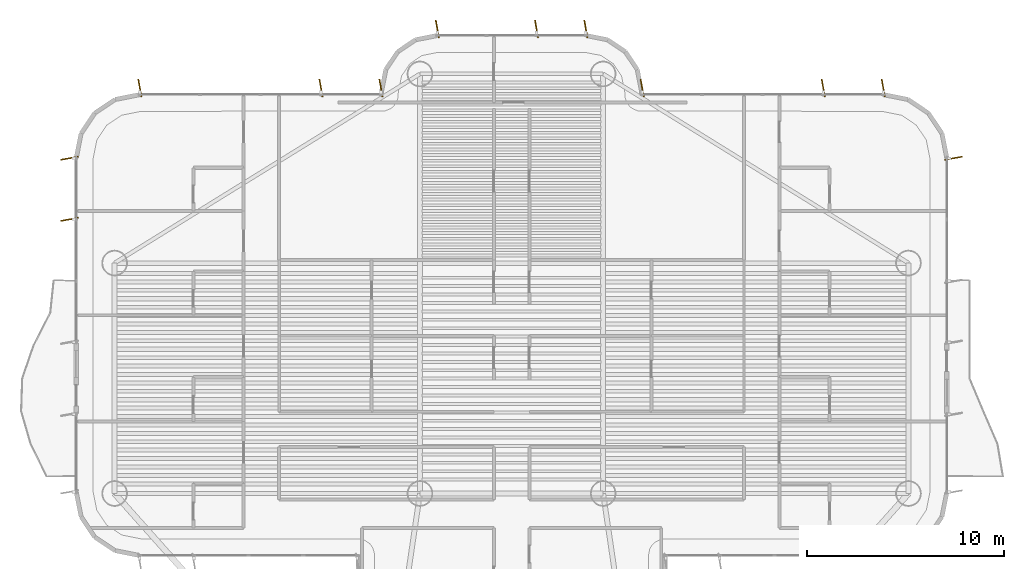
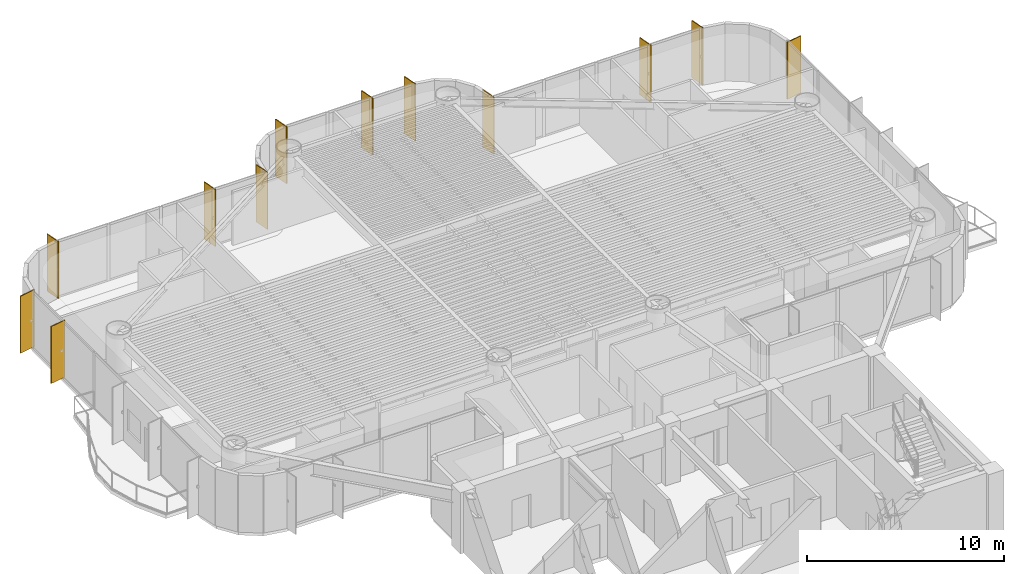
# One storey, part 17 of 17: 12 shading devices.
"""IFC4 building model written with IfcOpenShell, lengths in metres."""

import ifcopenshell
import ifcopenshell.guid

model = None  # the IFC model being written
_history = None  # IfcOwnerHistory: only IFC2X3 demands one
_inside = {}  # id of a spatial element -> (the spatial element, [elements in it])
_under = {}  # id of a project, library or spatial element -> (it, [spatial elements below it])
_declared = {}  # id of a project -> (the project, [libraries it declares])
_typed = {}  # id of a type object -> (the type object, [elements of that type])
_made_of = {}  # id of a material, layer set ... -> (it, [elements and type objects made of it])


def new_model(schema):
    """Start an empty IFC model of exactly this schema.

    Asked for "IFC4X3", IfcOpenShell would pick the latest addendum, in which some entities
    have other attributes; the version numbers below select the first issue.
    IFC2X3 requires an IfcOwnerHistory on every rooted entity: one is made here for all.
    """
    global model, _history
    if schema == "IFC4X3":
        model = ifcopenshell.file(schema_version=(4, 3, 0, 0))
    else:
        model = ifcopenshell.file(schema=schema)
    _inside.clear()
    _under.clear()
    _declared.clear()
    _typed.clear()
    _made_of.clear()
    _history = None
    if model.schema == "IFC2X3":
        org = make("IfcOrganization", Name="unknown")
        user = make(
            "IfcPersonAndOrganization",
            ThePerson=make("IfcPerson", FamilyName="unknown"),
            TheOrganization=org,
        )
        app = make(
            "IfcApplication",
            ApplicationDeveloper=org,
            Version="unknown",
            ApplicationFullName="unknown",
            ApplicationIdentifier="unknown",
        )
        _history = make(
            "IfcOwnerHistory",
            OwningUser=user,
            OwningApplication=app,
            ChangeAction="ADDED",
            CreationDate=0,
        )
    return model


def make(cls, **values):
    """One entity of the class cls with the attributes given. An attribute that is None is left unset."""
    return model.create_entity(
        cls, **{name: value for name, value in values.items() if value is not None}
    )


def rooted(cls, **values):
    """An entity with a GlobalId (a new one), such as an element, a storey or a relation."""
    return make(cls, GlobalId=ifcopenshell.guid.new(), OwnerHistory=_history, **values)


def si_unit(unit_type, name, prefix=None):
    """IfcSIUnit, for example si_unit("LENGTHUNIT", "METRE", prefix="MILLI")."""
    return make("IfcSIUnit", UnitType=unit_type, Prefix=prefix, Name=name)


def assignment(units):
    """IfcUnitAssignment: the units of a project."""
    return None if units is None else make("IfcUnitAssignment", Units=units)


def point(xyz):
    """IfcCartesianPoint."""
    return None if xyz is None else make("IfcCartesianPoint", Coordinates=xyz)


def direction(xyz):
    """IfcDirection."""
    return None if xyz is None else make("IfcDirection", DirectionRatios=xyz)


def frame(location, z_axis=None, x_axis=None):
    """IfcAxis2Placement3D, a coordinate frame: its origin and axes. An axis left out is left unset."""
    return make(
        "IfcAxis2Placement3D",
        Location=point(location),
        Axis=direction(z_axis),
        RefDirection=direction(x_axis),
    )


def frame_2d(location, x_axis=None):
    """IfcAxis2Placement2D, a coordinate frame in the plane: its origin and x axis."""
    return make(
        "IfcAxis2Placement2D", Location=point(location), RefDirection=direction(x_axis)
    )


def origin():
    """The frame at (0, 0, 0) with its axes left unset."""
    return frame((0.0, 0.0, 0.0))


def origin_2d():
    """The frame at (0, 0) in the plane with its x axis left unset."""
    return frame_2d((0.0, 0.0))


def place(relative_to, where):
    """IfcLocalPlacement: puts the frame where relative to a parent placement (None: the world)."""
    return make(
        "IfcLocalPlacement", PlacementRelTo=relative_to, RelativePlacement=where
    )


def context(
    kind, dimensions, precision=None, world=None, true_north=None, identifier=None
):
    """IfcGeometricRepresentationContext, for example the 3D "Model" context."""
    return make(
        "IfcGeometricRepresentationContext",
        ContextIdentifier=identifier,
        ContextType=kind,
        CoordinateSpaceDimension=dimensions,
        Precision=precision,
        WorldCoordinateSystem=world,
        TrueNorth=true_north,
    )


def subcontext(parent, identifier, kind, view, scale=None):
    """IfcGeometricRepresentationSubContext, for example "Body" below "Model"."""
    return make(
        "IfcGeometricRepresentationSubContext",
        ContextIdentifier=identifier,
        ContextType=kind,
        ParentContext=parent,
        TargetScale=scale,
        TargetView=view,
    )


def project(units=None, contexts=None):
    """IfcProject with its units and contexts."""
    return rooted(
        "IfcProject",
        Name="project",
        RepresentationContexts=contexts,
        UnitsInContext=assignment(units),
    )


def spatial(cls, under=None, at=None, **own):
    """A site, building, storey or space (cls), placed at a placement, below another one or the project."""
    s = rooted(cls, ObjectPlacement=at, **own)
    if under is not None:
        _under.setdefault(under.id(), (under, []))[1].append(s)
    return s


def profile(cls, at=None, kind="AREA", **sizes):
    """A parametric profile (cls). Its sizes go by their IFC names, for example OverallWidth=200.0."""
    return make(cls, ProfileType=kind, Position=at, **sizes)


def rectangle(**sizes):
    """IfcRectangleProfileDef."""
    return profile("IfcRectangleProfileDef", **sizes)


def extrude(swept, where, along, depth):
    """IfcExtrudedAreaSolid: the profile swept, set in the frame where, extruded along a direction by depth."""
    return make(
        "IfcExtrudedAreaSolid",
        SweptArea=swept,
        Position=where,
        ExtrudedDirection=direction(along),
        Depth=depth,
    )


def shape(context_of_items, identifier, shape_type, items):
    """IfcShapeRepresentation: the items that make up one representation, for example the "Body"."""
    return make(
        "IfcShapeRepresentation",
        ContextOfItems=context_of_items,
        RepresentationIdentifier=identifier,
        RepresentationType=shape_type,
        Items=items,
    )


def source(mapping_origin, context_of_items, identifier, shape_type, items):
    """IfcRepresentationMap: a shape defined once, which mapped items show again and again."""
    return make(
        "IfcRepresentationMap",
        MappingOrigin=mapping_origin,
        MappedRepresentation=shape(context_of_items, identifier, shape_type, items),
    )


def transform(
    local_origin,
    x_axis=None,
    y_axis=None,
    z_axis=None,
    scale=None,
    scale2=None,
    scale3=None,
    uniform=True,
):
    """IfcCartesianTransformationOperator3D, or its non-uniform kind. x_axis, y_axis, z_axis: its Axis1, 2, 3."""
    if uniform:
        return make(
            "IfcCartesianTransformationOperator3D",
            Axis1=direction(x_axis),
            Axis2=direction(y_axis),
            LocalOrigin=point(local_origin),
            Scale=scale,
            Axis3=direction(z_axis),
        )
    return make(
        "IfcCartesianTransformationOperator3DnonUniform",
        Axis1=direction(x_axis),
        Axis2=direction(y_axis),
        LocalOrigin=point(local_origin),
        Scale=scale,
        Axis3=direction(z_axis),
        Scale2=scale2,
        Scale3=scale3,
    )


def mapped(mapping_source, mapping_target):
    """IfcMappedItem: shows the shape of a source again, moved by a transform."""
    return make(
        "IfcMappedItem", MappingSource=mapping_source, MappingTarget=mapping_target
    )


def material(Name=None, Category=None):
    """IfcMaterial."""
    return make("IfcMaterial", Name=Name, Category=Category)


def material_profile(
    of_material, cross_section, Name=None, Category=None, Priority=None
):
    """IfcMaterialProfile: a cross section and its material."""
    return make(
        "IfcMaterialProfile",
        Name=Name,
        Material=of_material,
        Profile=cross_section,
        Priority=Priority,
        Category=Category,
    )


def profile_set(profiles, Name=None, composite=None):
    """IfcMaterialProfileSet."""
    return make(
        "IfcMaterialProfileSet",
        Name=Name,
        MaterialProfiles=profiles,
        CompositeProfile=composite,
    )


def made_of(thing, what):
    """Note that an element or type object is made of a material, layer set ...; save() writes the relation."""
    if what is not None:
        _made_of.setdefault(what.id(), (what, []))[1].append(thing)
    return thing


def type_object(cls, material=None, **own):
    """A type object (cls), such as IfcWallType, which elements share."""
    return made_of(rooted(cls, **own), material)


def element(
    cls,
    number,
    at=None,
    inside=None,
    cuts=None,
    type_object=None,
    material=None,
    context=None,
    identifier="Body",
    shape_type=None,
    held_by="IfcProductDefinitionShape",
    body=None,
    shapes=None,
    **own,
):
    """One element of the class cls, such as IfcWall. Its Tag is "e" and its number.

    at: its placement. inside: the storey or other place that contains it. cuts: it is an
    opening in that element (IfcRelVoidsElement). A single representation is given by context,
    identifier, shape_type and body (its items); several are given by shapes. held_by: the class
    of the entity that holds the representations. save() writes the other relations.
    """
    e = rooted(cls, Tag="e%d" % number, ObjectPlacement=at, **own)
    if body is not None:
        shapes = [shape(context, identifier, shape_type, body)]
    if shapes is not None:
        e.Representation = make(held_by, Representations=shapes)
    if inside is not None:
        _inside.setdefault(inside.id(), (inside, []))[1].append(e)
    if cuts is not None:
        rooted(
            "IfcRelVoidsElement", RelatingBuildingElement=cuts, RelatedOpeningElement=e
        )
    if type_object is not None:
        _typed.setdefault(type_object.id(), (type_object, []))[1].append(e)
    return made_of(e, material)


def aggregate(whole, parts):
    """IfcRelAggregates: a whole, such as a stair, and the parts it consists of."""
    return rooted("IfcRelAggregates", RelatingObject=whole, RelatedObjects=parts)


def save(model, path):
    """Write the relations noted so far, then the file.

    IfcRelAggregates (storeys below a building ...), IfcRelContainedInSpatialStructure (elements
    in a storey), IfcRelDefinesByType, IfcRelAssociatesMaterial and IfcRelDeclares: one each for
    every whole, place, type object, material and project.
    """
    for whole, parts in _under.values():
        aggregate(whole, parts)
    for where, things in _inside.values():
        rooted(
            "IfcRelContainedInSpatialStructure",
            RelatedElements=things,
            RelatingStructure=where,
        )
    for kind, things in _typed.values():
        rooted("IfcRelDefinesByType", RelatedObjects=things, RelatingType=kind)
    for what, things in _made_of.values():
        rooted("IfcRelAssociatesMaterial", RelatedObjects=things, RelatingMaterial=what)
    for by, libraries in _declared.values():
        rooted("IfcRelDeclares", RelatingContext=by, RelatedDefinitions=libraries)
    model.write(path)


model = new_model("IFC4")

# Units and contexts
model_context = context("Model", 3, precision=1e-05, world=origin(), true_north=direction((0.0, 1.0)))
body_context = subcontext(model_context, "Body", "Model", "MODEL_VIEW")
ifc_project = project(units=[si_unit("LENGTHUNIT", "METRE"), si_unit("AREAUNIT", "SQUARE_METRE"), si_unit("VOLUMEUNIT", "CUBIC_METRE"), si_unit("PLANEANGLEUNIT", "RADIAN"), si_unit("MASSUNIT", "GRAM", prefix="KILO")], contexts=[model_context])

# Site, building, storey
site_placement = place(None, origin())
site = spatial("IfcSite", under=ifc_project, at=site_placement, CompositionType="ELEMENT")
building_placement = place(site_placement, origin())
building = spatial("IfcBuilding", under=site, at=building_placement, Name="Brelvock Crest Care Tower", CompositionType="ELEMENT")
storey_placement = place(building_placement, frame((0.0, 0.0, 127.6201171875)))
storey = spatial("IfcBuildingStorey", under=building, at=storey_placement, Name="L32", CompositionType="ELEMENT", Elevation=127.6201171875)

# Shading devices
ifc_material = material(Name="Aluminium 6063-T6", Category="aluminium")
ifc_material_profile = material_profile(ifc_material, rectangle(XDim=0.054931640625, YDim=0.89990234375, at=origin_2d()), Name="FIN55x900")
ifc_profile_set = profile_set([ifc_material_profile], Name="Aluminium 6063-T6")
shading_device_type = type_object("IfcShadingDeviceType", Name="SHD-FIN1", PredefinedType="USERDEFINED", material=ifc_profile_set)
shared_shape = source(origin(), body_context, "Body", "SweptSolid", [
    extrude(rectangle(XDim=0.054931640625, YDim=0.89990234375, at=origin_2d()), origin(), (0.0, 0.0, 1.0), 3.52978515625),
])
for number, where, z_axis, x_axis, name in (
    (1, (13.56005859375, 41.066650390625, 0.0), (0.0, 0.0, 1.0), (-0.173648177667, 0.984807753012, 0.0), "L32 Vertical Sunshade Fin E17B-03"),
    (2, (13.56005859375, 44.169921875, 0.0), (0.0, 0.0, 1.0), (-0.173648177667, 0.984807753012, 0.0), "L32 Vertical Sunshade Fin E17B-04"),
    (3, (17.1298828125, 47.739990234375, 0.0), (0.0, 0.0, 1.0), (0.984807753012, 0.173648177667, 0.0), "L32 Vertical Sunshade Fin E22-01"),
    (4, (26.324951171875, 47.739990234375, 0.0), (0.0, 0.0, 1.0), (0.984807753012, 0.173648177667, 0.0), "L32 Vertical Sunshade Fin E22-04"),
    (5, (29.3701171875, 47.739990234375, 0.0), (0.0, 0.0, 1.0), (0.984807753012, 0.173648177667, 0.0), "L32 Vertical Sunshade Fin E22-05"),
    (6, (32.22998046875, 50.739990234375, 0.0), (0.0, 0.0, 1.0), (0.984807753012, 0.173648177667, 0.0), "L32 Vertical Sunshade Fin E28-01"),
    (7, (37.2666015625, 50.739990234375, 0.0), (0.0, 0.0, 1.0), (0.984807753012, 0.173648177667, 0.0), "L32 Vertical Sunshade Fin E28-03"),
    (8, (39.77001953125, 50.739990234375, 0.0), (0.0, 0.0, 1.0), (0.984807753012, 0.173648177667, 0.0), "L32 Vertical Sunshade Fin E28-04"),
    (9, (42.6298828125, 47.739990234375, 0.0), (0.0, 0.0, 1.0), (0.984807753012, 0.173648177667, 0.0), "L32 Vertical Sunshade Fin E34-01"),
    (10, (51.824951171875, 47.739990234375, 0.0), (0.0, 0.0, 1.0), (0.984807753012, 0.173648177667, 0.0), "L32 Vertical Sunshade Fin E34-04"),
    (11, (54.8701171875, 47.739990234375, 0.0), (0.0, 0.0, 1.0), (0.984807753012, 0.173648177667, 0.0), "L32 Vertical Sunshade Fin E34-05"),
    (12, (58.43994140625, 44.169921875, 0.0), (0.0, 0.0, 1.0), (0.173648177667, -0.984807753012, 0.0), "L32 Vertical Sunshade Fin E39A-01"),
):
    element("IfcShadingDevice", number, at=place(storey_placement, frame(where, z_axis=z_axis, x_axis=x_axis)), inside=storey, type_object=shading_device_type, Name=name, ObjectType="FIN", PredefinedType="USERDEFINED", context=body_context, shape_type="MappedRepresentation", body=[
        mapped(shared_shape, transform((0.0, 0.0, 0.0), x_axis=(1.0, 0.0, 0.0), y_axis=(0.0, 1.0, 0.0), z_axis=(0.0, 0.0, 1.0), scale=1.0)),
    ])

save(model, "model.ifc")
